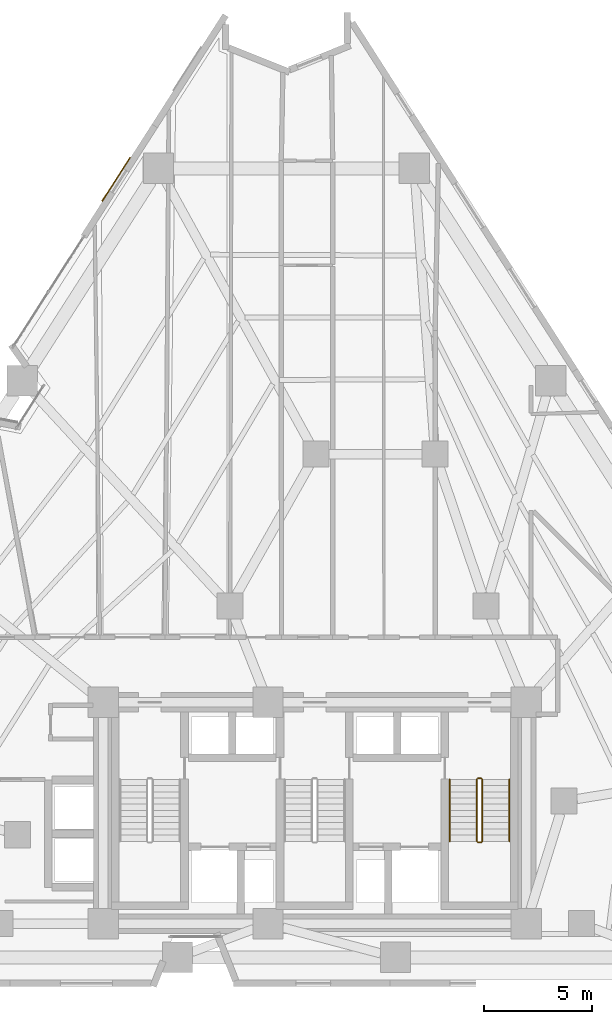
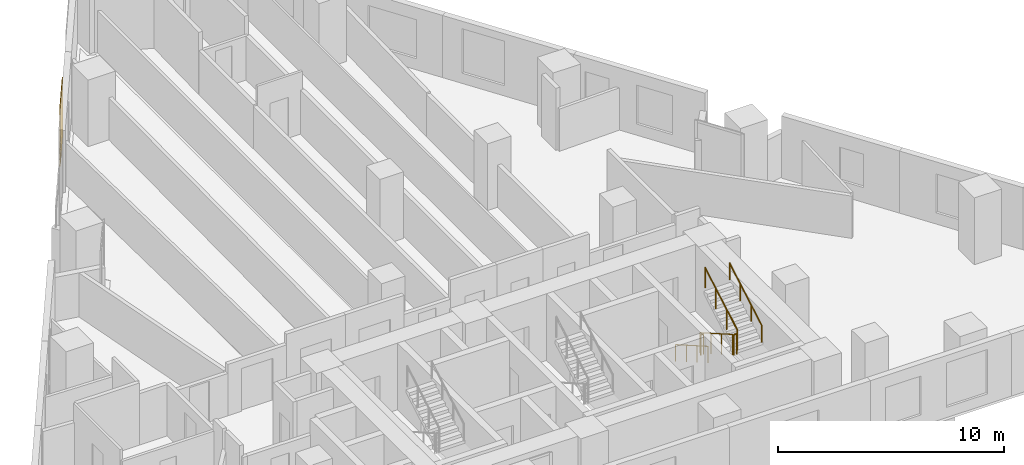
# One storey, part 14 of 15: 6 railings, 1 covering.
"""IFC4 building model written with IfcOpenShell, lengths in metres."""

from ifc_helpers import new_model, si_unit, direction, frame, origin, origin_2d, place, context, subcontext, project, spatial, rectangle, circle, extrude, material, layer, layer_set, type_object, element, save


model = new_model("IFC4")

# Units and contexts
model_context = context("Model", 3, precision=1e-05, world=origin(), true_north=direction((0.0, 1.0)))
body_context = subcontext(model_context, "Body", "Model", "MODEL_VIEW")
ifc_project = project(units=[si_unit("LENGTHUNIT", "METRE"), si_unit("AREAUNIT", "SQUARE_METRE"), si_unit("VOLUMEUNIT", "CUBIC_METRE"), si_unit("PLANEANGLEUNIT", "RADIAN"), si_unit("MASSUNIT", "GRAM", prefix="KILO")], contexts=[model_context])

# Site, building, storey
site_placement = place(None, origin())
site = spatial("IfcSite", under=ifc_project, at=site_placement, CompositionType="ELEMENT")
building_placement = place(site_placement, origin())
building = spatial("IfcBuilding", under=site, at=building_placement, Name="Almagre Mirador Tower", CompositionType="ELEMENT")
storey_placement = place(building_placement, frame((0.0, 0.0, 39.0)))
storey = spatial("IfcBuildingStorey", under=building, at=storey_placement, Name="L08", CompositionType="ELEMENT", Elevation=39.0)

# Covering
ifc_material_1 = material(Name="Almagre terracotta architectural cladding", Category="masonry")
ifc_layer = layer(ifc_material_1, 0.044921875)
ifc_layer_set = layer_set([ifc_layer], Name="Almagre terracotta architectural cladding")
covering_type = type_object("IfcCoveringType", Name="COV-CLAD-ALMAGRE", PredefinedType="CLADDING", material=ifc_layer_set)
covering_placement = place(storey_placement, frame((28.145751953125, 38.863525390625, 0.10009765625), z_axis=(0.0, 0.0, 1.0), x_axis=(0.539520453445, 0.841972493799, 0.0)))
element("IfcCovering", 1, at=covering_placement, inside=storey, type_object=covering_type, Name="L08 almagre terracotta pier cladding", PredefinedType="CLADDING", context=body_context, shape_type="SweptSolid", body=[
    extrude(rectangle(XDim=2.39990234375, YDim=0.044921875, at=origin_2d()), origin(), (0.0, 0.0, 1.0), 3.14990234375),
])

# Railings
ifc_material_2 = material(Name="Painted galvanized steel", Category="steel")
railing_type_1 = type_object("IfcRailingType", Name="RLG-GRD-1100", PredefinedType="GUARDRAIL", material=ifc_material_2)
railing_1_placement = place(storey_placement, frame((44.77490234375, 11.199951171875, 0.16357421875)))
element("IfcRailing", 2, at=railing_1_placement, inside=storey, type_object=railing_type_1, Name="L08 ST-3 stair guard 1", PredefinedType="GUARDRAIL", context=body_context, shape_type="SweptSolid", body=[
    extrude(circle(Radius=0.02392578125, at=origin_2d()), frame((0.0, 0.0, 1.09619140625), z_axis=(0.0, -0.867194282975, 0.497969954491), x_axis=(1.0, 0.0, 0.0)), (0.0, 0.0, 1.0), 3.286376953125),
    extrude(circle(Radius=0.02099609375, at=origin_2d()), origin(), (0.0, 0.0, 1.0), 1.072021484375),
    extrude(circle(Radius=0.02099609375, at=origin_2d()), frame((0.0, -0.949951171875, 0.54541015625)), (0.0, 0.0, 1.0), 1.072021484375),
    extrude(circle(Radius=0.02099609375, at=origin_2d()), frame((0.0, -1.89990234375, 1.091064453125)), (0.0, 0.0, 1.0), 1.072021484375),
    extrude(circle(Radius=0.02099609375, at=origin_2d()), frame((0.0, -2.849853515625, 1.636474609375)), (0.0, 0.0, 1.0), 1.072021484375),
])
railing_2_placement = place(storey_placement, frame((44.824951171875, 8.300048828125, 1.800048828125)))
element("IfcRailing", 3, at=railing_2_placement, inside=storey, type_object=railing_type_1, Name="L08 ST-3 stair guard 2", PredefinedType="GUARDRAIL", context=body_context, shape_type="SweptSolid", body=[
    extrude(circle(Radius=0.02392578125, at=origin_2d()), frame((0.0, 0.0, 1.09619140625), z_axis=(1.0, 0.0, 0.0), x_axis=(0.0, 1.0, 0.0)), (0.0, 0.0, 1.0), 0.150146484375),
    extrude(circle(Radius=0.02099609375, at=origin_2d()), origin(), (0.0, 0.0, 1.0), 1.072021484375),
    extrude(circle(Radius=0.02099609375, at=origin_2d()), frame((0.150146484375, 0.0, 0.0)), (0.0, 0.0, 1.0), 1.072021484375),
])
railing_3_placement = place(storey_placement, frame((45.02490234375, 8.35009765625, 1.963623046875)))
element("IfcRailing", 4, at=railing_3_placement, inside=storey, type_object=railing_type_1, Name="L08 ST-3 stair guard 3", PredefinedType="GUARDRAIL", context=body_context, shape_type="SweptSolid", body=[
    extrude(circle(Radius=0.02392578125, at=origin_2d()), frame((0.0, 0.0, 1.09619140625), z_axis=(0.0, 0.867194282975, 0.497969954491), x_axis=(-1.0, 0.0, 0.0)), (0.0, 0.0, 1.0), 3.286376953125),
    extrude(circle(Radius=0.02099609375, at=origin_2d()), origin(), (0.0, 0.0, 1.0), 1.072021484375),
    extrude(circle(Radius=0.02099609375, at=origin_2d()), frame((0.0, 0.949951171875, 0.54541015625)), (0.0, 0.0, 1.0), 1.072021484375),
    extrude(circle(Radius=0.02099609375, at=origin_2d()), frame((0.0, 1.89990234375, 1.091064453125)), (0.0, 0.0, 1.0), 1.072021484375),
    extrude(circle(Radius=0.02099609375, at=origin_2d()), frame((0.0, 2.849853515625, 1.636474609375)), (0.0, 0.0, 1.0), 1.072021484375),
])
railing_4_placement = place(storey_placement, frame((44.824951171875, 11.25, 0.0)))
element("IfcRailing", 5, at=railing_4_placement, inside=storey, type_object=railing_type_1, Name="L08 ST-3 stair guard 4", PredefinedType="GUARDRAIL", context=body_context, shape_type="SweptSolid", body=[
    extrude(circle(Radius=0.02392578125, at=origin_2d()), frame((0.0, 0.0, 1.09619140625), z_axis=(1.0, 0.0, 0.0), x_axis=(0.0, 1.0, 0.0)), (0.0, 0.0, 1.0), 0.150146484375),
    extrude(circle(Radius=0.02099609375, at=origin_2d()), origin(), (0.0, 0.0, 1.0), 1.072021484375),
    extrude(circle(Radius=0.02099609375, at=origin_2d()), frame((0.150146484375, 0.0, 0.0)), (0.0, 0.0, 1.0), 1.072021484375),
])
ifc_material_3 = material(Name="Brushed stainless steel", Category="steel")
railing_type_2 = type_object("IfcRailingType", Name="RLG-HND-915", PredefinedType="HANDRAIL", material=ifc_material_3)
railing_5_placement = place(storey_placement, frame((43.52490234375, 11.199951171875, 0.16357421875)))
element("IfcRailing", 6, at=railing_5_placement, inside=storey, type_object=railing_type_2, Name="L08 ST-3 stair handrail 1", PredefinedType="HANDRAIL", context=body_context, shape_type="SweptSolid", body=[
    extrude(circle(Radius=0.02392578125, at=origin_2d()), frame((0.0, 0.0, 0.89111328125), z_axis=(0.0, -0.867194282975, 0.497969954491), x_axis=(1.0, 0.0, 0.0)), (0.0, 0.0, 1.0), 3.286376953125),
    extrude(circle(Radius=0.02099609375, at=origin_2d()), origin(), (0.0, 0.0, 1.0), 0.866943359375),
    extrude(circle(Radius=0.02099609375, at=origin_2d()), frame((0.0, -0.949951171875, 0.54541015625)), (0.0, 0.0, 1.0), 0.866943359375),
    extrude(circle(Radius=0.02099609375, at=origin_2d()), frame((0.0, -1.89990234375, 1.091064453125)), (0.0, 0.0, 1.0), 0.866943359375),
    extrude(circle(Radius=0.02099609375, at=origin_2d()), frame((0.0, -2.849853515625, 1.636474609375)), (0.0, 0.0, 1.0), 0.866943359375),
])
railing_6_placement = place(storey_placement, frame((46.27490234375, 8.35009765625, 1.963623046875)))
element("IfcRailing", 7, at=railing_6_placement, inside=storey, type_object=railing_type_2, Name="L08 ST-3 stair handrail 2", PredefinedType="HANDRAIL", context=body_context, shape_type="SweptSolid", body=[
    extrude(circle(Radius=0.02392578125, at=origin_2d()), frame((0.0, 0.0, 0.89111328125), z_axis=(0.0, 0.867194282975, 0.497969954491), x_axis=(-1.0, 0.0, 0.0)), (0.0, 0.0, 1.0), 3.286376953125),
    extrude(circle(Radius=0.02099609375, at=origin_2d()), origin(), (0.0, 0.0, 1.0), 0.866943359375),
    extrude(circle(Radius=0.02099609375, at=origin_2d()), frame((0.0, 0.949951171875, 0.54541015625)), (0.0, 0.0, 1.0), 0.866943359375),
    extrude(circle(Radius=0.02099609375, at=origin_2d()), frame((0.0, 1.89990234375, 1.091064453125)), (0.0, 0.0, 1.0), 0.866943359375),
    extrude(circle(Radius=0.02099609375, at=origin_2d()), frame((0.0, 2.849853515625, 1.636474609375)), (0.0, 0.0, 1.0), 0.866943359375),
])

save(model, "model.ifc")
